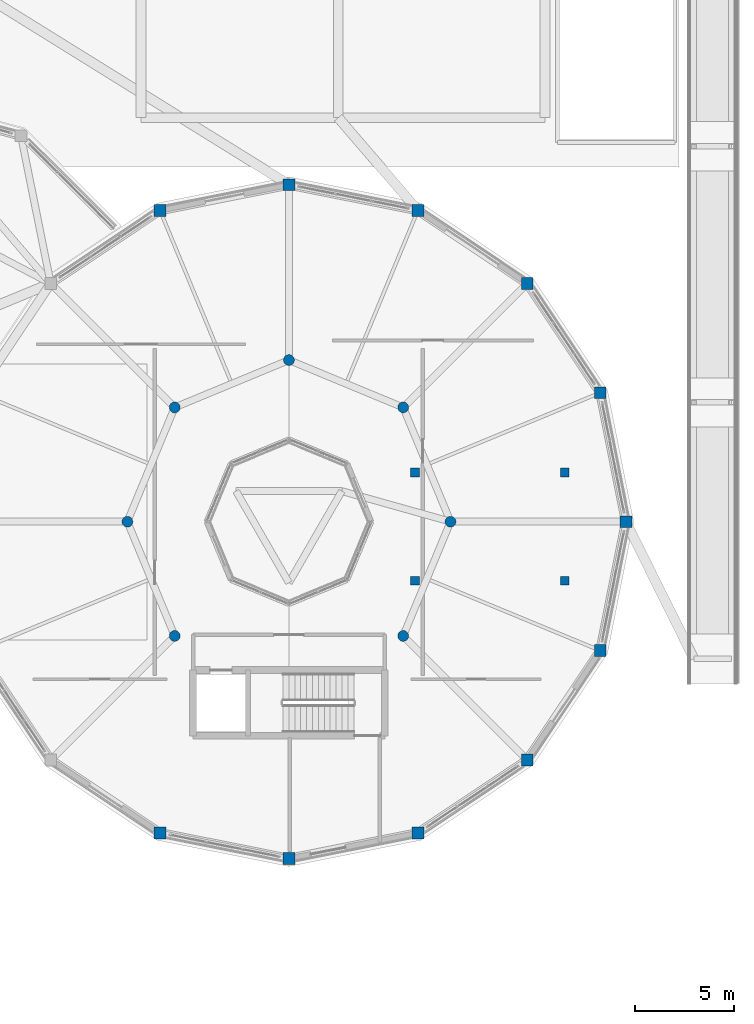
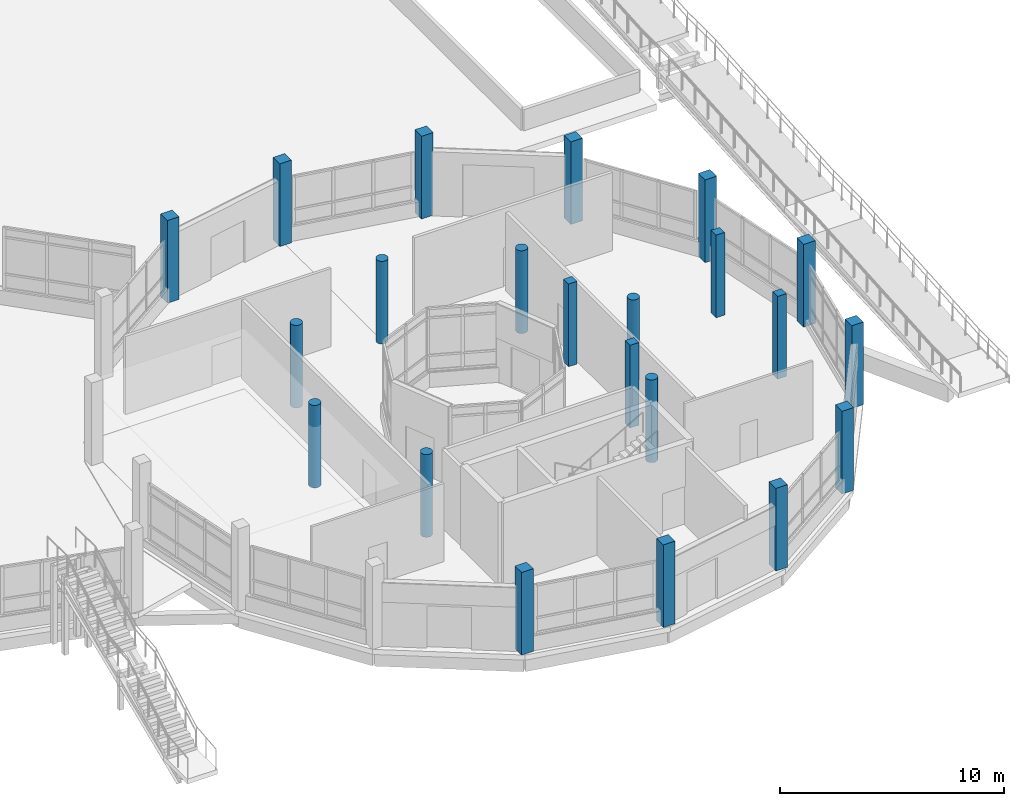
# One storey, part 12 of 129: 22 columns.
"""IFC4 building model written with IfcOpenShell, lengths in metres."""

from ifc_helpers import new_model, si_unit, direction, frame, origin, origin_2d, place, context, subcontext, project, spatial, rectangle, circle, extrude, material, material_profile, profile_set, type_object, element, save


model = new_model("IFC4")

# Units and contexts
model_context = context("Model", 3, precision=1e-05, world=origin(), true_north=direction((0.0, 1.0)))
body_context = subcontext(model_context, "Body", "Model", "MODEL_VIEW")
ifc_project = project(units=[si_unit("LENGTHUNIT", "METRE"), si_unit("AREAUNIT", "SQUARE_METRE"), si_unit("VOLUMEUNIT", "CUBIC_METRE"), si_unit("PLANEANGLEUNIT", "RADIAN"), si_unit("MASSUNIT", "GRAM", prefix="KILO")], contexts=[model_context])

# Site, building, storey
site_placement = place(None, origin())
site = spatial("IfcSite", under=ifc_project, at=site_placement, CompositionType="ELEMENT")
building_placement = place(site_placement, origin())
building = spatial("IfcBuilding", under=site, at=building_placement, Name="Vespera Passage Community Centre", CompositionType="ELEMENT")
storey_placement = place(building_placement, origin())
storey = spatial("IfcBuildingStorey", under=building, at=storey_placement, Name="L00", CompositionType="ELEMENT", Elevation=0.0)

# Columns
ifc_material_1 = material(Name="Concrete f'c 45 MPa", Category="concrete")
ifc_material_profile_1 = material_profile(ifc_material_1, rectangle(XDim=0.449951171875, YDim=0.449951171875, at=origin_2d()), Name="RC450X450")
ifc_profile_set_1 = profile_set([ifc_material_profile_1], Name="Concrete f'c 45 MPa")
column_type_1 = type_object("IfcColumnType", Name="COL-RC450I", PredefinedType="COLUMN", material=ifc_profile_set_1)
for number, where, z_axis, x_axis, name in (
    (1, (147.39990234375, 22.0, 0.0), (0.0, 0.0, 1.0), (1.0, 0.0, 0.0), "L00 Column V3-CONS-1"),
    (2, (155.0, 22.0, 0.0), (0.0, 0.0, 1.0), (1.0, 0.0, 0.0), "L00 Column V3-CONS-2"),
    (3, (155.0, 27.5, 0.0), (0.0, 0.0, 1.0), (1.0, 0.0, 0.0), "L00 Column V3-CONS-3"),
    (4, (147.39990234375, 27.5, 0.0), (0.0, 0.0, 1.0), (1.0, 0.0, 0.0), "L00 Column V3-CONS-4"),
):
    element("IfcColumn", number, at=place(storey_placement, frame(where, z_axis=z_axis, x_axis=x_axis)), inside=storey, type_object=column_type_1, Name=name, PredefinedType="COLUMN", context=body_context, shape_type="SweptSolid", body=[
        extrude(rectangle(XDim=0.449951171875, YDim=0.449951171875, at=origin_2d()), origin(), (0.0, 0.0, 1.0), 4.5),
    ])
ifc_material_2 = material(Name="Concrete f'c 45 MPa", Category="concrete")
ifc_material_profile_2 = material_profile(ifc_material_2, circle(Radius=0.27490234375, at=origin_2d()), Name="RC550DIA")
ifc_profile_set_2 = profile_set([ifc_material_profile_2], Name="Concrete f'c 45 MPa")
column_type_2 = type_object("IfcColumnType", Name="COL-RC550DIA", PredefinedType="COLUMN", material=ifc_profile_set_2)
for number, where, z_axis, x_axis, name in (
    (5, (149.199951171875, 25.0, 0.0), (0.0, 0.0, 1.0), (1.0, 0.0, 0.0), "L00 Column V3-I01"),
    (6, (146.79833984375, 30.79833984375, 0.0), (0.0, 0.0, 1.0), (1.0, 0.0, 0.0), "L00 Column V3-I02"),
    (7, (141.0, 33.199951171875, 0.0), (0.0, 0.0, 1.0), (1.0, 0.0, 0.0), "L00 Column V3-I03"),
    (8, (135.20166015625, 30.79833984375, 0.0), (0.0, 0.0, 1.0), (1.0, 0.0, 0.0), "L00 Column V3-I04"),
    (9, (132.800048828125, 25.0, 0.0), (0.0, 0.0, 1.0), (1.0, 0.0, 0.0), "L00 Column V3-I05"),
    (10, (135.20166015625, 19.20166015625, 0.0), (0.0, 0.0, 1.0), (1.0, 0.0, 0.0), "L00 Column V3-I06"),
    (11, (146.79833984375, 19.20166015625, 0.0), (0.0, 0.0, 1.0), (1.0, 0.0, 0.0), "L00 Column V3-I08"),
):
    element("IfcColumn", number, at=place(storey_placement, frame(where, z_axis=z_axis, x_axis=x_axis)), inside=storey, type_object=column_type_2, Name=name, PredefinedType="COLUMN", context=body_context, shape_type="SweptSolid", body=[
        extrude(circle(Radius=0.27490234375, at=origin_2d()), origin(), (0.0, 0.0, 1.0), 4.5),
    ])
ifc_material_3 = material(Name="Concrete f'c 45 MPa", Category="concrete")
ifc_material_profile_3 = material_profile(ifc_material_3, rectangle(XDim=0.60009765625, YDim=0.60009765625, at=origin_2d()), Name="RC600X600")
ifc_profile_set_3 = profile_set([ifc_material_profile_3], Name="Concrete f'c 45 MPa")
column_type_3 = type_object("IfcColumnType", Name="COL-RC600E", PredefinedType="COLUMN", material=ifc_profile_set_3)
for number, where, z_axis, x_axis, name in (
    (12, (158.10009765625, 25.0, 0.0), (0.0, 0.0, 1.0), (1.0, 0.0, 0.0), "L00 Column V3-P01"),
    (13, (156.79833984375, 31.5439453125, 0.0), (0.0, 0.0, 1.0), (1.0, 0.0, 0.0), "L00 Column V3-P02"),
    (14, (153.091552734375, 37.091552734375, 0.0), (0.0, 0.0, 1.0), (1.0, 0.0, 0.0), "L00 Column V3-P03"),
    (15, (147.5439453125, 40.79833984375, 0.0), (0.0, 0.0, 1.0), (1.0, 0.0, 0.0), "L00 Column V3-P04"),
    (16, (141.0, 42.10009765625, 0.0), (0.0, 0.0, 1.0), (1.0, 0.0, 0.0), "L00 Column V3-P05"),
    (17, (134.4560546875, 40.79833984375, 0.0), (0.0, 0.0, 1.0), (1.0, 0.0, 0.0), "L00 Column V3-P06"),
    (18, (134.4560546875, 9.20166015625, 0.0), (0.0, 0.0, 1.0), (1.0, 0.0, 0.0), "L00 Column V3-P12"),
    (19, (141.0, 7.89990234375, 0.0), (0.0, 0.0, 1.0), (1.0, 0.0, 0.0), "L00 Column V3-P13"),
    (20, (147.5439453125, 9.20166015625, 0.0), (0.0, 0.0, 1.0), (1.0, 0.0, 0.0), "L00 Column V3-P14"),
    (21, (153.091552734375, 12.908447265625, 0.0), (0.0, 0.0, 1.0), (1.0, 0.0, 0.0), "L00 Column V3-P15"),
    (22, (156.79833984375, 18.4560546875, 0.0), (0.0, 0.0, 1.0), (1.0, 0.0, 0.0), "L00 Column V3-P16"),
):
    element("IfcColumn", number, at=place(storey_placement, frame(where, z_axis=z_axis, x_axis=x_axis)), inside=storey, type_object=column_type_3, Name=name, PredefinedType="COLUMN", context=body_context, shape_type="SweptSolid", body=[
        extrude(rectangle(XDim=0.60009765625, YDim=0.60009765625, at=origin_2d()), origin(), (0.0, 0.0, 1.0), 4.5),
    ])

save(model, "model.ifc")
